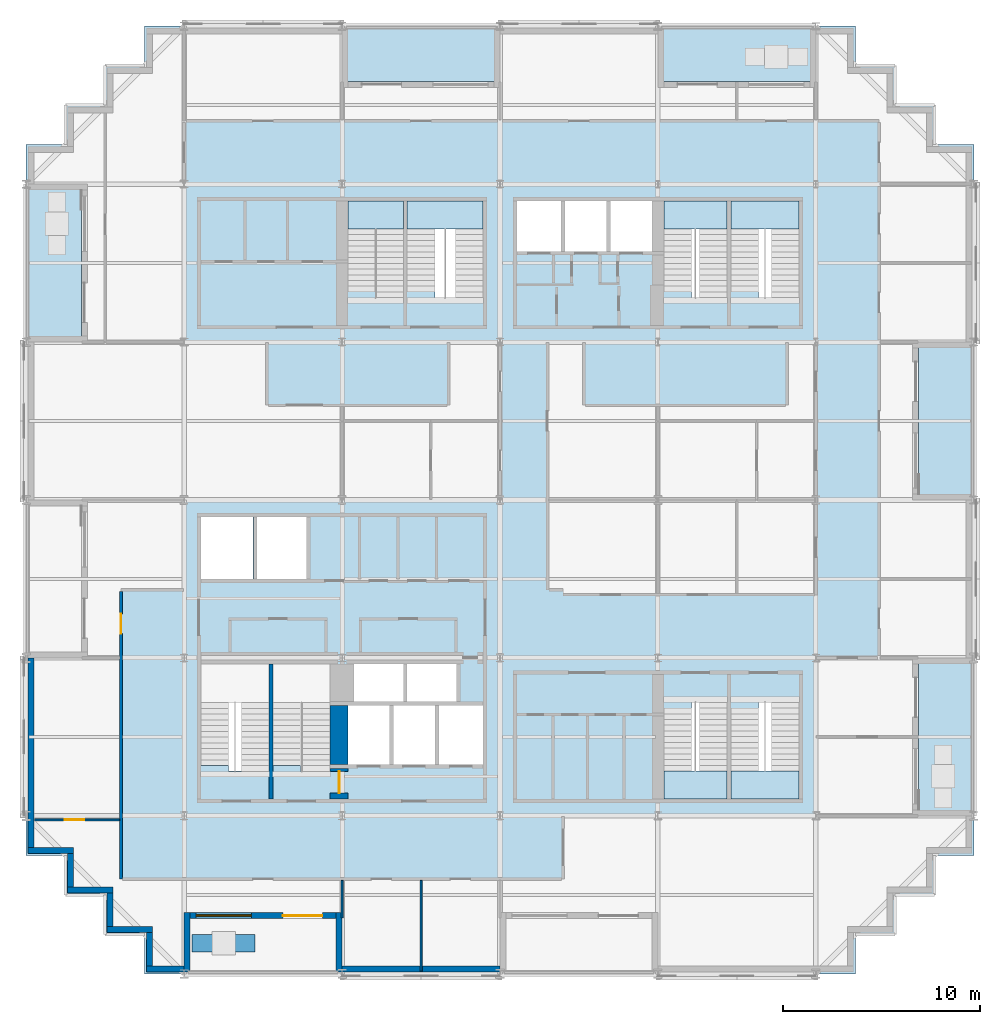
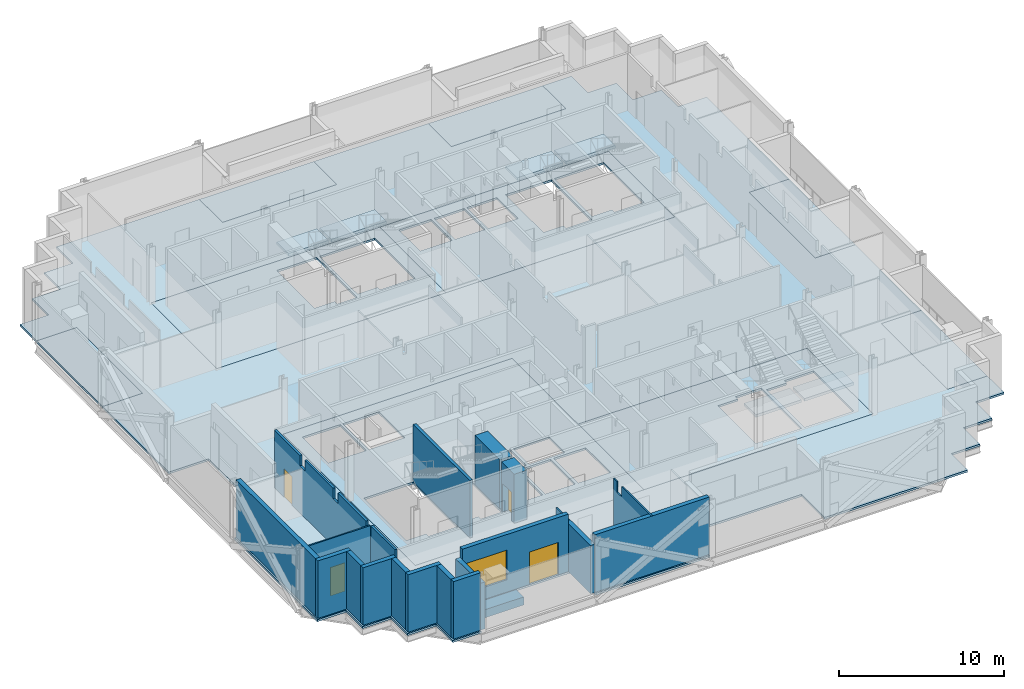
# One storey, part 5 of 15: 20 walls, 16 slabs, 4 doors, 1 window, 5 openings, 6 elements without a shape of their own.
"""IFC4 building model written with IfcOpenShell, lengths in metres."""

from ifc_helpers import new_model, si_unit, direction, frame, frame_2d, origin, place, context, subcontext, project, spatial, polyline, rectangle, outline, extrude, material, layer, layer_set, type_object, element, fill, aggregate, save


model = new_model("IFC4")

# Units and contexts
model_context = context("Model", 3, precision=1e-05, world=origin(), true_north=direction((0.0, 1.0)))
body_context = subcontext(model_context, "Body", "Model", "MODEL_VIEW")
ifc_project = project(units=[si_unit("LENGTHUNIT", "METRE"), si_unit("AREAUNIT", "SQUARE_METRE"), si_unit("VOLUMEUNIT", "CUBIC_METRE"), si_unit("PLANEANGLEUNIT", "RADIAN"), si_unit("MASSUNIT", "GRAM", prefix="KILO")], contexts=[model_context])

# Site, building, storey
site_placement = place(None, origin())
site = spatial("IfcSite", under=ifc_project, at=site_placement, CompositionType="ELEMENT")
building_placement = place(site_placement, origin())
building = spatial("IfcBuilding", under=site, at=building_placement, Name="Immortelle Media Tower", CompositionType="ELEMENT")
storey_placement = place(building_placement, frame((0.0, 0.0, 87.60009765625)))
storey = spatial("IfcBuildingStorey", under=building, at=storey_placement, Name="L16", CompositionType="ELEMENT", Elevation=87.60009765625)

# Slabs
ifc_material_1 = material(Name="Concrete C50/60 composite deck", Category="concrete")
ifc_layer_1 = layer(ifc_material_1, 0.14990234375)
ifc_layer_set_1 = layer_set([ifc_layer_1], Name="Concrete C50/60 composite deck")
slab_type_1 = type_object("IfcSlabType", Name="Balcony slab 150", PredefinedType="FLOOR", material=ifc_layer_set_1)
slab_1_placement = place(storey_placement, frame((0.0, 0.0, -0.150146484375)))
element("IfcSlab", 1, at=slab_1_placement, inside=storey, type_object=slab_type_1, Name="Balcony slab L16 W0", PredefinedType="FLOOR", context=body_context, shape_type="SweptSolid", body=[
    extrude(outline(polyline([(2.800048828125, 32.0), (2.800048828125, 40.0), (0.0, 40.0), (0.0, 32.0), (2.800048828125, 32.0)])), origin(), (0.0, 0.0, 1.0), 0.150146484375),
])
slab_2_placement = place(storey_placement, frame((0.0, 0.0, -0.150146484375)))
element("IfcSlab", 2, at=slab_2_placement, inside=storey, type_object=slab_type_1, Name="Balcony slab L16 E0", PredefinedType="FLOOR", context=body_context, shape_type="SweptSolid", body=[
    extrude(outline(polyline([(48.0, 8.0), (48.0, 16.0), (45.199951171875, 16.0), (45.199951171875, 8.0), (48.0, 8.0)])), origin(), (0.0, 0.0, 1.0), 0.150146484375),
])
slab_3_placement = place(storey_placement, frame((0.0, 0.0, -0.150146484375)))
element("IfcSlab", 3, at=slab_3_placement, inside=storey, type_object=slab_type_1, Name="Balcony slab L16 E2", PredefinedType="FLOOR", context=body_context, shape_type="SweptSolid", body=[
    extrude(outline(polyline([(48.0, 24.0), (48.0, 32.0), (45.199951171875, 32.0), (45.199951171875, 24.0), (48.0, 24.0)])), origin(), (0.0, 0.0, 1.0), 0.150146484375),
])
slab_4_placement = place(storey_placement, frame((0.0, 0.0, -0.150146484375)))
element("IfcSlab", 4, at=slab_4_placement, inside=storey, type_object=slab_type_1, Name="Balcony slab L16 N0", PredefinedType="FLOOR", context=body_context, shape_type="SweptSolid", body=[
    extrude(outline(polyline([(40.0, 45.199951171875), (40.0, 48.0), (32.0, 48.0), (32.0, 45.199951171875), (40.0, 45.199951171875)])), origin(), (0.0, 0.0, 1.0), 0.150146484375),
])
slab_5_placement = place(storey_placement, frame((0.0, 0.0, -0.150146484375)))
element("IfcSlab", 5, at=slab_5_placement, inside=storey, type_object=slab_type_1, Name="Balcony slab L16 N2", PredefinedType="FLOOR", context=body_context, shape_type="SweptSolid", body=[
    extrude(outline(polyline([(24.0, 45.199951171875), (24.0, 48.0), (16.0, 48.0), (16.0, 45.199951171875), (24.0, 45.199951171875)])), origin(), (0.0, 0.0, 1.0), 0.150146484375),
])
ifc_material_2 = material(Name="Concrete C50/60", Category="concrete")
ifc_layer_2 = layer(ifc_material_2, 0.14990234375)
ifc_layer_set_2 = layer_set([ifc_layer_2], Name="Concrete C50/60")
slab_type_2 = type_object("IfcSlabType", Name="Composite floor slab 150", PredefinedType="FLOOR", material=ifc_layer_set_2)
slab_6_placement = place(storey_placement, frame((0.0, 0.0, -0.150146484375)))
element("IfcSlab", 6, at=slab_6_placement, inside=storey, type_object=slab_type_2, Name="Floor slab L16", PredefinedType="FLOOR", context=body_context, shape_type="SweptSolid", body=[
    extrude(outline(polyline([(6.0, 0.0), (6.0, 2.0), (4.0, 2.0), (4.0, 4.0), (2.0, 4.0), (2.0, 6.0), (0.0, 6.0), (0.0, 16.0), (2.800048828125, 16.0), (2.800048828125, 24.0), (0.0, 24.0), (0.0, 32.0), (2.800048828125, 32.0), (2.800048828125, 40.0), (0.0, 40.0), (0.0, 42.0), (2.0, 42.0), (2.0, 44.0), (4.0, 44.0), (4.0, 46.0), (6.0, 46.0), (6.0, 48.0), (16.0, 48.0), (16.0, 45.199951171875), (24.0, 45.199951171875), (24.0, 48.0), (32.0, 48.0), (32.0, 45.199951171875), (40.0, 45.199951171875), (40.0, 48.0), (42.0, 48.0), (42.0, 46.0), (44.0, 46.0), (44.0, 44.0), (46.0, 44.0), (46.0, 42.0), (48.0, 42.0), (48.0, 32.0), (45.199951171875, 32.0), (45.199951171875, 24.0), (48.0, 24.0), (48.0, 16.0), (45.199951171875, 16.0), (45.199951171875, 8.0), (48.0, 8.0), (48.0, 6.0), (46.0, 6.0), (46.0, 4.0), (44.0, 4.0), (44.0, 2.0), (42.0, 2.0), (42.0, 0.0), (32.0, 0.0), (32.0, 2.800048828125), (24.0, 2.800048828125), (24.0, 0.0), (16.0, 0.0), (16.0, 2.800048828125), (8.0, 2.800048828125), (8.0, 0.0), (6.0, 0.0)]), holes=[polyline([(24.0, 24.0), (8.0, 24.0), (8.0, 8.0), (24.0, 8.0), (40.0, 8.0), (40.0, 16.0), (24.0, 16.0), (24.0, 24.0)]), polyline([(24.0, 32.0), (40.0, 32.0), (40.0, 40.0), (24.0, 40.0), (8.0, 40.0), (8.0, 32.0), (24.0, 32.0)])]), origin(), (0.0, 0.0, 1.0), 0.150146484375),
])
ifc_layer_3 = layer(ifc_material_2, 0.14990234375)
ifc_layer_set_3 = layer_set([ifc_layer_3], Name="Concrete C50/60")
slab_type_3 = type_object("IfcSlabType", Name="Core floor slab 150", PredefinedType="FLOOR", material=ifc_layer_set_3)
slab_7_placement = place(storey_placement, frame((0.0, 0.0, -0.150146484375)))
element("IfcSlab", 7, at=slab_7_placement, inside=storey, type_object=slab_type_3, Name="Core floor SW", PredefinedType="FLOOR", context=body_context, shape_type="SweptSolid", body=[
    extrude(outline(polyline([(8.0, 8.0), (24.0, 8.0), (24.0, 24.0), (8.0, 24.0), (8.0, 8.0)]), holes=[polyline([(8.85009765625, 20.0), (11.5, 20.0), (11.5, 23.14990234375), (8.85009765625, 23.14990234375), (8.85009765625, 20.0)]), polyline([(11.699951171875, 20.0), (14.199951171875, 20.0), (14.199951171875, 23.14990234375), (11.699951171875, 23.14990234375), (11.699951171875, 20.0)]), polyline([(16.60009765625, 13.800048828125), (19.10009765625, 13.800048828125), (19.10009765625, 15.699951171875), (16.60009765625, 15.699951171875), (16.60009765625, 13.800048828125)]), polyline([(19.300048828125, 13.800048828125), (21.800048828125, 13.800048828125), (21.800048828125, 15.699951171875), (19.300048828125, 15.699951171875), (19.300048828125, 13.800048828125)]), polyline([(16.300048828125, 10.60009765625), (18.39990234375, 10.60009765625), (18.39990234375, 13.60009765625), (16.300048828125, 13.60009765625), (16.300048828125, 10.60009765625)]), polyline([(18.60009765625, 10.60009765625), (20.699951171875, 10.60009765625), (20.699951171875, 13.60009765625), (18.60009765625, 13.60009765625), (18.60009765625, 10.60009765625)]), polyline([(20.89990234375, 10.60009765625), (23.14990234375, 10.60009765625), (23.14990234375, 13.60009765625), (20.89990234375, 13.60009765625), (20.89990234375, 10.60009765625)]), polyline([(8.85009765625, 15.699951171875), (12.300048828125, 15.699951171875), (12.300048828125, 10.27001953125), (10.25, 10.27001953125), (10.25, 10.56005859375), (8.85009765625, 10.56005859375), (8.85009765625, 15.699951171875)]), polyline([(12.5, 15.699951171875), (15.39990234375, 15.699951171875), (15.39990234375, 10.27001953125), (13.89990234375, 10.27001953125), (13.89990234375, 10.56005859375), (12.5, 10.56005859375), (12.5, 15.699951171875)])]), origin(), (0.0, 0.0, 1.0), 0.150146484375),
])
slab_8_placement = place(storey_placement, frame((0.0, 0.0, -0.150146484375)))
element("IfcSlab", 8, at=slab_8_placement, inside=storey, type_object=slab_type_3, Name="Core floor SE", PredefinedType="FLOOR", context=body_context, shape_type="SweptSolid", body=[
    extrude(outline(polyline([(24.0, 8.0), (40.0, 8.0), (40.0, 16.0), (24.0, 16.0), (24.0, 8.0)]), holes=[polyline([(35.5, 13.72998046875), (35.5, 8.85009765625), (32.300048828125, 8.85009765625), (32.300048828125, 13.43994140625), (33.699951171875, 13.43994140625), (33.699951171875, 13.72998046875), (35.5, 13.72998046875)]), polyline([(39.14990234375, 13.72998046875), (39.14990234375, 8.85009765625), (35.699951171875, 8.85009765625), (35.699951171875, 13.43994140625), (37.10009765625, 13.43994140625), (37.10009765625, 13.72998046875), (39.14990234375, 13.72998046875)])]), origin(), (0.0, 0.0, 1.0), 0.150146484375),
])
slab_9_placement = place(storey_placement, frame((0.0, 0.0, -0.150146484375)))
element("IfcSlab", 9, at=slab_9_placement, inside=storey, type_object=slab_type_3, Name="Core floor NW", PredefinedType="FLOOR", context=body_context, shape_type="SweptSolid", body=[
    extrude(outline(polyline([(8.0, 32.0), (24.0, 32.0), (24.0, 40.0), (8.0, 40.0), (8.0, 32.0)]), holes=[polyline([(16.300048828125, 39.14990234375), (19.10009765625, 39.14990234375), (19.10009765625, 34.27001953125), (17.699951171875, 34.27001953125), (17.699951171875, 34.56005859375), (16.300048828125, 34.56005859375), (16.300048828125, 39.14990234375)]), polyline([(19.300048828125, 39.14990234375), (23.14990234375, 39.14990234375), (23.14990234375, 34.27001953125), (20.699951171875, 34.27001953125), (20.699951171875, 34.56005859375), (19.300048828125, 34.56005859375), (19.300048828125, 39.14990234375)])]), origin(), (0.0, 0.0, 1.0), 0.150146484375),
])
slab_10_placement = place(storey_placement, frame((0.0, 0.0, -0.150146484375)))
element("IfcSlab", 10, at=slab_10_placement, inside=storey, type_object=slab_type_3, Name="Core floor NE", PredefinedType="FLOOR", context=body_context, shape_type="SweptSolid", body=[
    extrude(outline(polyline([(24.0, 32.0), (40.0, 32.0), (40.0, 40.0), (24.0, 40.0), (24.0, 32.0)]), holes=[polyline([(24.85009765625, 36.60009765625), (27.10009765625, 36.60009765625), (27.10009765625, 39.14990234375), (24.85009765625, 39.14990234375), (24.85009765625, 36.60009765625)]), polyline([(27.300048828125, 36.60009765625), (29.39990234375, 36.60009765625), (29.39990234375, 39.14990234375), (27.300048828125, 39.14990234375), (27.300048828125, 36.60009765625)]), polyline([(29.60009765625, 36.60009765625), (31.699951171875, 36.60009765625), (31.699951171875, 39.14990234375), (29.60009765625, 39.14990234375), (29.60009765625, 36.60009765625)]), polyline([(32.300048828125, 39.14990234375), (35.5, 39.14990234375), (35.5, 34.27001953125), (33.699951171875, 34.27001953125), (33.699951171875, 34.56005859375), (32.300048828125, 34.56005859375), (32.300048828125, 39.14990234375)]), polyline([(35.699951171875, 39.14990234375), (39.14990234375, 39.14990234375), (39.14990234375, 34.27001953125), (37.10009765625, 34.27001953125), (37.10009765625, 34.56005859375), (35.699951171875, 34.56005859375), (35.699951171875, 39.14990234375)])]), origin(), (0.0, 0.0, 1.0), 0.150146484375),
])

# Stair, slab
ifc_material_3 = material(Name="Steel ASTM A992 Gr 50", Category="steel")
stair_type = type_object("IfcStairType", Name="Stair with flights", PredefinedType="DOUBLE_RETURN_STAIR", material=ifc_material_3)
stair_1_placement = place(storey_placement, origin())
stair_1 = element("IfcStair", 11, at=stair_1_placement, inside=storey, type_object=stair_type, Name="Exit stair SE1", PredefinedType="DOUBLE_RETURN_STAIR")
ifc_material_4 = material(Name="Steel ASTM A572 Gr 50", Category="steel")
ifc_layer_4 = layer(ifc_material_4, 0.199951171875)
ifc_layer_set_4 = layer_set([ifc_layer_4], Name="Steel ASTM A572 Gr 50")
slab_type_4 = type_object("IfcSlabType", Name="Stair landing 200", PredefinedType="LANDING", material=ifc_layer_set_4)
slab_11_placement = place(storey_placement, frame((0.0, 0.0, 1.911865234375)))
slab_11 = element("IfcSlab", 12, at=slab_11_placement, type_object=slab_type_4, Name="ST SE1 landing 1", PredefinedType="LANDING", context=body_context, shape_type="SweptSolid", body=[
    extrude(outline(polyline([(32.300048828125, 8.85009765625), (35.5, 8.85009765625), (35.5, 10.27001953125), (32.300048828125, 10.27001953125), (32.300048828125, 8.85009765625)])), origin(), (0.0, 0.0, 1.0), 0.199951171875),
])
aggregate(stair_1, [slab_11])

stair_2_placement = place(storey_placement, origin())
stair_2 = element("IfcStair", 13, at=stair_2_placement, inside=storey, type_object=stair_type, Name="Exit stair SE2", PredefinedType="DOUBLE_RETURN_STAIR")
slab_12_placement = place(storey_placement, frame((0.0, 0.0, 1.911865234375)))
slab_12 = element("IfcSlab", 14, at=slab_12_placement, type_object=slab_type_4, Name="ST SE2 landing 1", PredefinedType="LANDING", context=body_context, shape_type="SweptSolid", body=[
    extrude(outline(polyline([(35.699951171875, 8.85009765625), (39.14990234375, 8.85009765625), (39.14990234375, 10.27001953125), (35.699951171875, 10.27001953125), (35.699951171875, 8.85009765625)])), origin(), (0.0, 0.0, 1.0), 0.199951171875),
])
aggregate(stair_2, [slab_12])

stair_3_placement = place(storey_placement, origin())
stair_3 = element("IfcStair", 15, at=stair_3_placement, inside=storey, type_object=stair_type, Name="Exit stair NW1", PredefinedType="DOUBLE_RETURN_STAIR")
slab_13_placement = place(storey_placement, frame((0.0, 0.0, 1.911865234375)))
slab_13 = element("IfcSlab", 16, at=slab_13_placement, type_object=slab_type_4, Name="ST NW1 landing 1", PredefinedType="LANDING", context=body_context, shape_type="SweptSolid", body=[
    extrude(outline(polyline([(16.300048828125, 37.72998046875), (19.10009765625, 37.72998046875), (19.10009765625, 39.14990234375), (16.300048828125, 39.14990234375), (16.300048828125, 37.72998046875)])), origin(), (0.0, 0.0, 1.0), 0.199951171875),
])
aggregate(stair_3, [slab_13])

stair_4_placement = place(storey_placement, origin())
stair_4 = element("IfcStair", 17, at=stair_4_placement, inside=storey, type_object=stair_type, Name="Exit stair NW2", PredefinedType="DOUBLE_RETURN_STAIR")
slab_14_placement = place(storey_placement, frame((0.0, 0.0, 1.911865234375)))
slab_14 = element("IfcSlab", 18, at=slab_14_placement, type_object=slab_type_4, Name="ST NW2 landing 1", PredefinedType="LANDING", context=body_context, shape_type="SweptSolid", body=[
    extrude(outline(polyline([(19.300048828125, 37.72998046875), (23.14990234375, 37.72998046875), (23.14990234375, 39.14990234375), (19.300048828125, 39.14990234375), (19.300048828125, 37.72998046875)])), origin(), (0.0, 0.0, 1.0), 0.199951171875),
])
aggregate(stair_4, [slab_14])

stair_5_placement = place(storey_placement, origin())
stair_5 = element("IfcStair", 19, at=stair_5_placement, inside=storey, type_object=stair_type, Name="Exit stair NE1", PredefinedType="DOUBLE_RETURN_STAIR")
slab_15_placement = place(storey_placement, frame((0.0, 0.0, 1.911865234375)))
slab_15 = element("IfcSlab", 20, at=slab_15_placement, type_object=slab_type_4, Name="ST NE1 landing 1", PredefinedType="LANDING", context=body_context, shape_type="SweptSolid", body=[
    extrude(outline(polyline([(32.300048828125, 37.72998046875), (35.5, 37.72998046875), (35.5, 39.14990234375), (32.300048828125, 39.14990234375), (32.300048828125, 37.72998046875)])), origin(), (0.0, 0.0, 1.0), 0.199951171875),
])
aggregate(stair_5, [slab_15])

stair_6_placement = place(storey_placement, origin())
stair_6 = element("IfcStair", 21, at=stair_6_placement, inside=storey, type_object=stair_type, Name="Exit stair NE2", PredefinedType="DOUBLE_RETURN_STAIR")
slab_16_placement = place(storey_placement, frame((0.0, 0.0, 1.911865234375)))
slab_16 = element("IfcSlab", 22, at=slab_16_placement, type_object=slab_type_4, Name="ST NE2 landing 1", PredefinedType="LANDING", context=body_context, shape_type="SweptSolid", body=[
    extrude(outline(polyline([(35.699951171875, 37.72998046875), (39.14990234375, 37.72998046875), (39.14990234375, 39.14990234375), (35.699951171875, 39.14990234375), (35.699951171875, 37.72998046875)])), origin(), (0.0, 0.0, 1.0), 0.199951171875),
])
aggregate(stair_6, [slab_16])

# Wall, opening, door
ifc_material_5 = material(Name="Fire-rated gypsum board", Category="gypsum")
ifc_layer_5 = layer(ifc_material_5, 0.012451171875)
ifc_material_6 = material(Name="Steel ASTM A653 SS Gr 50 stud frame with mineral wool", Category="steel")
ifc_layer_6 = layer(ifc_material_6, 0.125)
ifc_layer_7 = layer(ifc_material_5, 0.012451171875)
ifc_layer_set_5 = layer_set([ifc_layer_5, ifc_layer_6, ifc_layer_7], Name="Steel ASTM A653 SS Gr 50 stud frame with mineral wool")
wall_type_1 = type_object("IfcWallType", Name="Corridor wall 150", PredefinedType="PARTITIONING", material=ifc_layer_set_5)
wall_1_placement = place(storey_placement, frame((4.800048828125, 4.800048828125, 0.0), z_axis=(0.0, 0.0, 1.0), x_axis=(0.0, 1.0, 0.0)))
wall_1 = element("IfcWall", 23, at=wall_1_placement, inside=storey, type_object=wall_type_1, Name="Partition L16-005", PredefinedType="PARTITIONING", context=body_context, shape_type="SweptSolid", body=[
    extrude(outline(polyline([(0.0, 0.0), (14.574951171875, 0.0), (14.574951171875, 4.25), (11.5, 4.25), (11.498046875, 3.469970703125), (10.902099609375, 3.469970703125), (10.89990234375, 4.25), (7.5, 4.25), (7.498046875, 3.469970703125), (6.902099609375, 3.469970703125), (6.89990234375, 4.25), (3.5, 4.25), (3.498046875, 3.469970703125), (2.902099609375, 3.469970703125), (2.89990234375, 4.25), (0.0, 4.25), (0.0, 0.0)])), frame((0.0, 0.074951171875, 0.0), z_axis=(0.0, -1.0, 0.0), x_axis=(1.0, 0.0, 0.0)), (0.0, 0.0, 1.0), 0.14990234375),
])
opening_1_placement = place(wall_1_placement, frame((12.425048828125, 0.0, 0.0)))
opening_1 = element("IfcOpeningElement", 24, at=opening_1_placement, cuts=wall_1, Name="Opening N5-F008", PredefinedType="OPENING", context=body_context, shape_type="SweptSolid", body=[
    extrude(rectangle(XDim=1.0, YDim=2.10009765625, at=frame_2d((0.5, 1.050048828125))), frame((0.0, 0.0849609375, 0.0), z_axis=(0.0, -1.0, 0.0), x_axis=(1.0, 0.0, 0.0)), (0.0, 0.0, 1.0), 0.169921875),
])
ifc_material_7 = material(Name="Timber veneered door leaf, galvanised steel frame ASTM A653", Category="steel")
door_type_1 = type_object("IfcDoorType", Name="Room door 1000 x 2100", OperationType="NOTDEFINED", PredefinedType="DOOR", material=ifc_material_7)
door_1_placement = place(opening_1_placement, origin())
door_1 = element("IfcDoor", 25, at=door_1_placement, inside=storey, type_object=door_type_1, Name="Door N5-F008", OperationType="SINGLE_SWING_LEFT", OverallHeight=2.10009765625, OverallWidth=1.0, PredefinedType="DOOR", context=body_context, shape_type="SweptSolid", body=[
    extrude(rectangle(XDim=1.0, YDim=2.10009765625, at=frame_2d((0.5, 1.050048828125))), frame((0.0, 0.02490234375, 0.0), z_axis=(0.0, -1.0, 0.0), x_axis=(1.0, 0.0, 0.0)), (0.0, 0.0, 1.0), 0.050048828125),
])
fill(opening_1, door_1)

# Walls
ifc_material_8 = material(Name="Pale aluminium cladding panel", Category="aluminium")
ifc_layer_8 = layer(ifc_material_8, 0.030029296875)
ifc_layer_9 = layer(ifc_material_6, 0.257568359375)
ifc_material_9 = material(Name="Moisture-resistant gypsum board", Category="gypsum")
ifc_layer_10 = layer(ifc_material_9, 0.012451171875)
ifc_layer_set_6 = layer_set([ifc_layer_8, ifc_layer_9, ifc_layer_10], Name="Steel ASTM A653 SS Gr 50 stud frame with mineral wool")
wall_type_2 = type_object("IfcWallType", Name="Facade wall 300", PredefinedType="SOLIDWALL", material=ifc_layer_set_6)
wall_2_placement = place(storey_placement, frame((0.25, 16.0, 0.0), z_axis=(0.0, 0.0, 1.0), x_axis=(0.0, -1.0, 0.0)))
element("IfcWall", 26, at=wall_2_placement, inside=storey, type_object=wall_type_2, Name="Facade wall L16 W0", PredefinedType="SOLIDWALL", context=body_context, shape_type="SweptSolid", body=[
    extrude(rectangle(XDim=9.60009765625, YDim=0.300048828125, at=frame_2d((4.800048828125, 0.0))), origin(), (0.0, 0.0, 1.0), 4.25),
])
wall_3_placement = place(storey_placement, frame((0.10009765625, 6.25, 0.0), z_axis=(0.0, 0.0, 1.0), x_axis=(1.0, 0.0, 0.0)))
element("IfcWall", 27, at=wall_3_placement, inside=storey, type_object=wall_type_2, Name="Facade wall L16 S1", PredefinedType="SOLIDWALL", context=body_context, shape_type="SweptSolid", body=[
    extrude(rectangle(XDim=2.2998046875, YDim=0.300048828125, at=frame_2d((1.14990234375, 0.0))), origin(), (0.0, 0.0, 1.0), 4.25),
])
wall_4_placement = place(storey_placement, frame((2.25, 6.10009765625, 0.0), z_axis=(0.0, 0.0, 1.0), x_axis=(0.0, -1.0, 0.0)))
element("IfcWall", 28, at=wall_4_placement, inside=storey, type_object=wall_type_2, Name="Facade wall L16 W2", PredefinedType="SOLIDWALL", context=body_context, shape_type="SweptSolid", body=[
    extrude(rectangle(XDim=1.7001953125, YDim=0.300048828125, at=frame_2d((0.85009765625, 0.0))), origin(), (0.0, 0.0, 1.0), 4.25),
])
wall_5_placement = place(storey_placement, frame((2.10009765625, 4.25, 0.0), z_axis=(0.0, 0.0, 1.0), x_axis=(1.0, 0.0, 0.0)))
element("IfcWall", 29, at=wall_5_placement, inside=storey, type_object=wall_type_2, Name="Facade wall L16 S3", PredefinedType="SOLIDWALL", context=body_context, shape_type="SweptSolid", body=[
    extrude(rectangle(XDim=2.2998046875, YDim=0.300048828125, at=frame_2d((1.14990234375, 0.0))), origin(), (0.0, 0.0, 1.0), 4.25),
])
wall_6_placement = place(storey_placement, frame((4.25, 4.10009765625, 0.0), z_axis=(0.0, 0.0, 1.0), x_axis=(0.0, -1.0, 0.0)))
element("IfcWall", 30, at=wall_6_placement, inside=storey, type_object=wall_type_2, Name="Facade wall L16 W4", PredefinedType="SOLIDWALL", context=body_context, shape_type="SweptSolid", body=[
    extrude(rectangle(XDim=1.7001953125, YDim=0.300048828125, at=frame_2d((0.85009765625, 0.0))), origin(), (0.0, 0.0, 1.0), 4.25),
])
wall_7_placement = place(storey_placement, frame((4.10009765625, 2.25, 0.0), z_axis=(0.0, 0.0, 1.0), x_axis=(1.0, 0.0, 0.0)))
element("IfcWall", 31, at=wall_7_placement, inside=storey, type_object=wall_type_2, Name="Facade wall L16 S5", PredefinedType="SOLIDWALL", context=body_context, shape_type="SweptSolid", body=[
    extrude(rectangle(XDim=2.2998046875, YDim=0.300048828125, at=frame_2d((1.14990234375, 0.0))), origin(), (0.0, 0.0, 1.0), 4.25),
])
wall_8_placement = place(storey_placement, frame((6.25, 2.10009765625, 0.0), z_axis=(0.0, 0.0, 1.0), x_axis=(0.0, -1.0, 0.0)))
element("IfcWall", 32, at=wall_8_placement, inside=storey, type_object=wall_type_2, Name="Facade wall L16 W6", PredefinedType="SOLIDWALL", context=body_context, shape_type="SweptSolid", body=[
    extrude(rectangle(XDim=1.7001953125, YDim=0.300048828125, at=frame_2d((0.85009765625, 0.0))), origin(), (0.0, 0.0, 1.0), 4.25),
])
wall_9_placement = place(storey_placement, frame((6.10009765625, 0.25, 0.0), z_axis=(0.0, 0.0, 1.0), x_axis=(1.0, 0.0, 0.0)))
element("IfcWall", 33, at=wall_9_placement, inside=storey, type_object=wall_type_2, Name="Facade wall L16 S7", PredefinedType="SOLIDWALL", context=body_context, shape_type="SweptSolid", body=[
    extrude(rectangle(XDim=1.89990234375, YDim=0.300048828125, at=frame_2d((0.949951171875, 0.0))), origin(), (0.0, 0.0, 1.0), 4.25),
])

# Wall, openings, door, window
wall_10_placement = place(storey_placement, frame((8.300048828125, 2.949951171875, 0.0), z_axis=(0.0, 0.0, 1.0), x_axis=(1.0, 0.0, 0.0)))
wall_10 = element("IfcWall", 34, at=wall_10_placement, inside=storey, type_object=wall_type_2, Name="Loggia wall L16 S7", PredefinedType="SOLIDWALL", context=body_context, shape_type="SweptSolid", body=[
    extrude(rectangle(XDim=7.39990234375, YDim=0.300048828125, at=frame_2d((3.699951171875, 0.0))), origin(), (0.0, 0.0, 1.0), 4.25),
])
opening_2_placement = place(wall_10_placement, frame((0.300048828125, 0.0, 0.89990234375)))
opening_2 = element("IfcOpeningElement", 35, at=opening_2_placement, cuts=wall_10, Name="Opening W1", PredefinedType="OPENING", context=body_context, shape_type="SweptSolid", body=[
    extrude(rectangle(XDim=2.800048828125, YDim=2.199951171875, at=frame_2d((1.39990234375, 1.10009765625))), frame((0.0, 0.159912109375, 0.0), z_axis=(0.0, -1.0, 0.0), x_axis=(1.0, 0.0, 0.0)), (0.0, 0.0, 1.0), 0.320068359375),
])
opening_3_placement = place(wall_10_placement, frame((4.699951171875, 0.0, 0.0)))
opening_3 = element("IfcOpeningElement", 36, at=opening_3_placement, cuts=wall_10, Name="Opening N5-E003", PredefinedType="OPENING", context=body_context, shape_type="SweptSolid", body=[
    extrude(rectangle(XDim=2.0, YDim=2.39990234375, at=frame_2d((1.0, 1.199951171875))), frame((0.0, 0.159912109375, 0.0), z_axis=(0.0, -1.0, 0.0), x_axis=(1.0, 0.0, 0.0)), (0.0, 0.0, 1.0), 0.320068359375),
])
ifc_material_10 = material(Name="Aluminium frame, glazed leaves", Category="aluminium")
door_type_2 = type_object("IfcDoorType", Name="Loggia door 2000 x 2400", OperationType="DOUBLE_DOOR_SINGLE_SWING", PredefinedType="DOOR", material=ifc_material_10)
door_2_placement = place(opening_3_placement, origin())
door_2 = element("IfcDoor", 37, at=door_2_placement, inside=storey, type_object=door_type_2, Name="Door N5-E003", OperationType="DOUBLE_DOOR_SINGLE_SWING", OverallHeight=2.39990234375, OverallWidth=2.0, PredefinedType="DOOR", context=body_context, shape_type="SweptSolid", body=[
    extrude(rectangle(XDim=2.0, YDim=2.39990234375, at=frame_2d((1.0, 1.199951171875))), frame((0.0, 0.02490234375, 0.0), z_axis=(0.0, -1.0, 0.0), x_axis=(1.0, 0.0, 0.0)), (0.0, 0.0, 1.0), 0.050048828125),
])
fill(opening_3, door_2)
ifc_material_11 = material(Name="Aluminium frame", Category="aluminium")
window_type = type_object("IfcWindowType", Name="Window 2800 x 2200", PartitioningType="SINGLE_PANEL", PredefinedType="WINDOW", material=ifc_material_11)
window_placement = place(opening_2_placement, origin())
window = element("IfcWindow", 38, at=window_placement, inside=storey, type_object=window_type, Name="Window L16 L16-R7-B0", OverallHeight=2.199951171875, OverallWidth=2.800048828125, PartitioningType="SINGLE_PANEL", PredefinedType="WINDOW", context=body_context, shape_type="SweptSolid", body=[
    extrude(rectangle(XDim=2.800048828125, YDim=2.199951171875, at=frame_2d((1.39990234375, 1.10009765625))), frame((0.0, 0.030029296875, 0.0), z_axis=(0.0, -1.0, 0.0), x_axis=(1.0, 0.0, 0.0)), (0.0, 0.0, 1.0), 0.06005859375),
])
fill(opening_2, window)

# Walls
wall_11_placement = place(storey_placement, frame((8.14990234375, 0.10009765625, 0.0), z_axis=(0.0, 0.0, 1.0), x_axis=(0.0, 1.0, 0.0)))
element("IfcWall", 39, at=wall_11_placement, inside=storey, type_object=wall_type_2, Name="Loggia cheek wall L16 S", PredefinedType="SOLIDWALL", context=body_context, shape_type="SweptSolid", body=[
    extrude(rectangle(XDim=3.0, YDim=0.300048828125, at=frame_2d((1.5, 0.0))), origin(), (0.0, 0.0, 1.0), 3.468994140625),
])
wall_12_placement = place(storey_placement, frame((15.85009765625, 0.10009765625, 0.0), z_axis=(0.0, 0.0, 1.0), x_axis=(0.0, 1.0, 0.0)))
element("IfcWall", 40, at=wall_12_placement, inside=storey, type_object=wall_type_2, Name="Loggia cheek wall L16 S", PredefinedType="SOLIDWALL", context=body_context, shape_type="SweptSolid", body=[
    extrude(rectangle(XDim=3.0, YDim=0.300048828125, at=frame_2d((1.5, 0.0))), origin(), (0.0, 0.0, 1.0), 3.555908203125),
])
wall_13_placement = place(storey_placement, frame((16.0, 0.25, 0.0), z_axis=(0.0, 0.0, 1.0), x_axis=(1.0, 0.0, 0.0)))
element("IfcWall", 41, at=wall_13_placement, inside=storey, type_object=wall_type_2, Name="Facade wall L16 S7", PredefinedType="SOLIDWALL", context=body_context, shape_type="SweptSolid", body=[
    extrude(rectangle(XDim=8.0, YDim=0.300048828125, at=frame_2d((4.0, 0.0))), origin(), (0.0, 0.0, 1.0), 4.25),
])
ifc_material_12 = material(Name="Gypsum board", Category="gypsum")
ifc_layer_11 = layer(ifc_material_12, 0.012451171875)
ifc_layer_12 = layer(ifc_material_6, 0.074951171875)
ifc_layer_13 = layer(ifc_material_12, 0.012451171875)
ifc_layer_set_7 = layer_set([ifc_layer_11, ifc_layer_12, ifc_layer_13], Name="Steel ASTM A653 SS Gr 50 stud frame with mineral wool")
wall_type_3 = type_object("IfcWallType", Name="Partition 100", PredefinedType="PARTITIONING", material=ifc_layer_set_7)
wall_14_placement = place(storey_placement, frame((20.0, 0.1298828125, 0.0), z_axis=(0.0, 0.0, 1.0), x_axis=(0.0, 1.0, 0.0)))
element("IfcWall", 42, at=wall_14_placement, inside=storey, type_object=wall_type_3, Name="Partition L16-001", PredefinedType="PARTITIONING", context=body_context, shape_type="SweptSolid", body=[
    extrude(outline(polyline([(0.0, 0.0), (4.59521484375, 0.0), (4.594970703125, 4.25), (4.169921875, 4.25), (4.16796875, 3.469970703125), (3.572021484375, 3.469970703125), (3.570068359375, 4.25), (0.0, 4.25), (0.0, 0.0)])), frame((0.0, 0.050048828125, 0.0), z_axis=(0.0, -1.0, 0.0), x_axis=(1.0, 0.0, 0.0)), (0.0, 0.0, 1.0), 0.10009765625),
])
wall_15_placement = place(storey_placement, frame((16.0, 2.830078125, 0.0), z_axis=(0.0, 0.0, 1.0), x_axis=(0.0, 1.0, 0.0)))
element("IfcWall", 43, at=wall_15_placement, inside=storey, type_object=wall_type_3, Name="Partition L16-002", PredefinedType="PARTITIONING", context=body_context, shape_type="SweptSolid", body=[
    extrude(rectangle(XDim=1.89501953125, YDim=0.10009765625, at=frame_2d((0.947509765625, 0.0))), origin(), (0.0, 0.0, 1.0), 3.469970703125),
])

# Wall, opening, door
wall_16_placement = place(storey_placement, frame((0.429931640625, 7.800048828125, 0.0), z_axis=(0.0, 0.0, 1.0), x_axis=(1.0, 0.0, 0.0)))
wall_16 = element("IfcWall", 44, at=wall_16_placement, inside=storey, type_object=wall_type_3, Name="Partition L16-007", PredefinedType="PARTITIONING", context=body_context, shape_type="SweptSolid", body=[
    extrude(rectangle(XDim=4.295166015625, YDim=0.10009765625, at=frame_2d((2.1474609375, 0.0))), origin(), (0.0, 0.0, 1.0), 4.25),
])
opening_4_placement = place(wall_16_placement, frame((2.52001953125, 0.0, 0.0), z_axis=(0.0, 0.0, 1.0), x_axis=(-1.0, 0.0, 0.0)))
opening_4 = element("IfcOpeningElement", 45, at=opening_4_placement, cuts=wall_16, Name="Opening N5-F005", PredefinedType="OPENING", context=body_context, shape_type="SweptSolid", body=[
    extrude(rectangle(XDim=1.0, YDim=2.10009765625, at=frame_2d((0.5, 1.050048828125))), frame((0.0, 0.06005859375, 0.0), z_axis=(0.0, -1.0, 0.0), x_axis=(1.0, 0.0, 0.0)), (0.0, 0.0, 1.0), 0.1201171875),
])
door_3_placement = place(opening_4_placement, origin())
door_3 = element("IfcDoor", 46, at=door_3_placement, inside=storey, type_object=door_type_1, Name="Door N5-F005", OperationType="SINGLE_SWING_RIGHT", OverallHeight=2.10009765625, OverallWidth=1.0, PredefinedType="DOOR", context=body_context, shape_type="SweptSolid", body=[
    extrude(rectangle(XDim=1.0, YDim=2.10009765625, at=frame_2d((0.5, 1.050048828125))), frame((0.0, 0.02490234375, 0.0), z_axis=(0.0, -1.0, 0.0), x_axis=(1.0, 0.0, 0.0)), (0.0, 0.0, 1.0), 0.050048828125),
])
fill(opening_4, door_3)

# Walls
ifc_layer_14 = layer(ifc_material_8, 0.0029296875)
ifc_material_13 = material(Name="Steel ASTM A572 Gr 50 planter shell", Category="steel")
ifc_layer_15 = layer(ifc_material_13, 0.011962890625)
ifc_material_14 = material(Name="Planting substrate", Category="soil")
ifc_layer_16 = layer(ifc_material_14, 0.873046875)
ifc_layer_17 = layer(ifc_material_13, 0.011962890625)
ifc_layer_set_8 = layer_set([ifc_layer_14, ifc_layer_15, ifc_layer_16, ifc_layer_17], Name="Steel ASTM A572 Gr 50 planter shell")
wall_type_4 = type_object("IfcWallType", Name="Planter wall 900", PredefinedType="SOLIDWALL", material=ifc_layer_set_8)
wall_17_placement = place(storey_placement, frame((8.39990234375, 1.550048828125, 0.0), z_axis=(0.0, 0.0, 1.0), x_axis=(1.0, 0.0, 0.0)))
element("IfcWall", 47, at=wall_17_placement, inside=storey, type_object=wall_type_4, Name="Planter L16 S0", PredefinedType="SOLIDWALL", context=body_context, shape_type="SweptSolid", body=[
    extrude(rectangle(XDim=3.2001953125, YDim=0.89990234375, at=frame_2d((1.60009765625, 0.0))), origin(), (0.0, 0.0, 1.0), 0.599853515625),
])
ifc_material_15 = material(Name="Concrete C60", Category="concrete")
ifc_layer_18 = layer(ifc_material_15, 0.199951171875)
ifc_layer_set_9 = layer_set([ifc_layer_18], Name="Concrete C60")
wall_type_5 = type_object("IfcWallType", Name="Stair shaft wall 200", PredefinedType="PARTITIONING", material=ifc_layer_set_9)
wall_18_placement = place(storey_placement, frame((12.39990234375, 8.85009765625, 0.0), z_axis=(0.0, 0.0, 1.0), x_axis=(0.0, 1.0, 0.0)))
element("IfcWall", 48, at=wall_18_placement, inside=storey, type_object=wall_type_5, Name="Stair shaft wall SW", PredefinedType="PARTITIONING", context=body_context, shape_type="SweptSolid", body=[
    extrude(rectangle(XDim=6.849853515625, YDim=0.199951171875, at=frame_2d((3.4248046875, 0.0))), origin(), (0.0, 0.0, 1.0), 4.25),
])

# Wall, opening, door
ifc_layer_19 = layer(ifc_material_15, 0.89990234375)
ifc_layer_set_10 = layer_set([ifc_layer_19], Name="Concrete C60")
wall_type_6 = type_object("IfcWallType", Name="Stair shaft wall 900", PredefinedType="PARTITIONING", material=ifc_layer_set_10)
wall_19_placement = place(storey_placement, frame((15.85009765625, 8.85009765625, 0.0), z_axis=(0.0, 0.0, 1.0), x_axis=(0.0, 1.0, 0.0)))
wall_19 = element("IfcWall", 49, at=wall_19_placement, inside=storey, type_object=wall_type_6, Name="Stair shaft wall SW", PredefinedType="PARTITIONING", context=body_context, shape_type="SweptSolid", body=[
    extrude(rectangle(XDim=1.5498046875, YDim=0.89990234375, at=frame_2d((0.77490234375, 0.0))), origin(), (0.0, 0.0, 1.0), 3.6318359375),
])
opening_5_placement = place(wall_19_placement, frame((0.300048828125, 0.0, 0.0)))
opening_5 = element("IfcOpeningElement", 50, at=opening_5_placement, cuts=wall_19, Name="Opening N5-K006", PredefinedType="OPENING", context=body_context, shape_type="SweptSolid", body=[
    extrude(rectangle(XDim=1.10009765625, YDim=2.10009765625, at=frame_2d((0.550048828125, 1.050048828125))), frame((0.0, 0.4599609375, 0.0), z_axis=(0.0, -1.0, 0.0), x_axis=(1.0, 0.0, 0.0)), (0.0, 0.0, 1.0), 0.919921875),
])
ifc_material_16 = material(Name="Galvanised steel door leaf and frame ASTM A653", Category="steel")
door_type_3 = type_object("IfcDoorType", Name="Stair lobby door 1100 x 2100", OperationType="NOTDEFINED", PredefinedType="NOTDEFINED", material=ifc_material_16)
door_4_placement = place(opening_5_placement, origin())
door_4 = element("IfcDoor", 51, at=door_4_placement, inside=storey, type_object=door_type_3, Name="Stair lobby N5-K006", OperationType="SINGLE_SWING_LEFT", OverallHeight=2.10009765625, OverallWidth=1.10009765625, PredefinedType="NOTDEFINED", context=body_context, shape_type="SweptSolid", body=[
    extrude(rectangle(XDim=1.10009765625, YDim=2.10009765625, at=frame_2d((0.550048828125, 1.050048828125))), frame((0.0, 0.02490234375, 0.0), z_axis=(0.0, -1.0, 0.0), x_axis=(1.0, 0.0, 0.0)), (0.0, 0.0, 1.0), 0.050048828125),
])
fill(opening_5, door_4)

# Wall
wall_20_placement = place(storey_placement, frame((15.85009765625, 10.60009765625, 0.0), z_axis=(0.0, 0.0, 1.0), x_axis=(0.0, 1.0, 0.0)))
element("IfcWall", 52, at=wall_20_placement, inside=storey, type_object=wall_type_6, Name="Stair shaft wall SW", PredefinedType="PARTITIONING", context=body_context, shape_type="SweptSolid", body=[
    extrude(rectangle(XDim=3.0, YDim=0.89990234375, at=frame_2d((1.5, 0.0))), origin(), (0.0, 0.0, 1.0), 3.6318359375),
])

save(model, "model.ifc")
